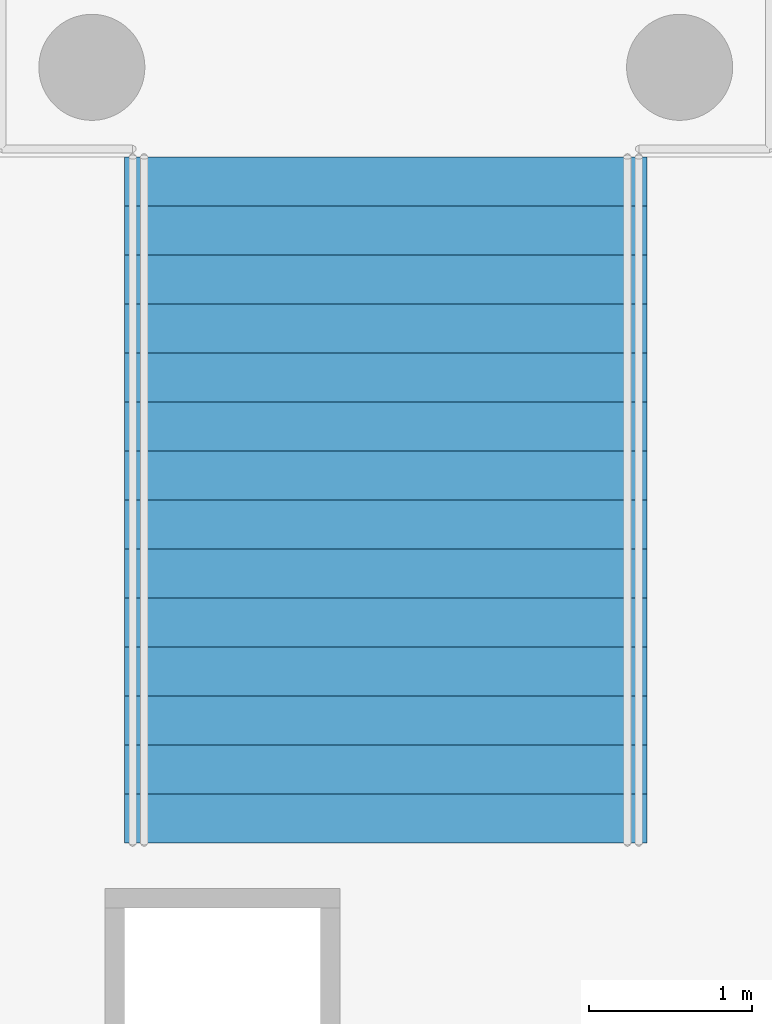
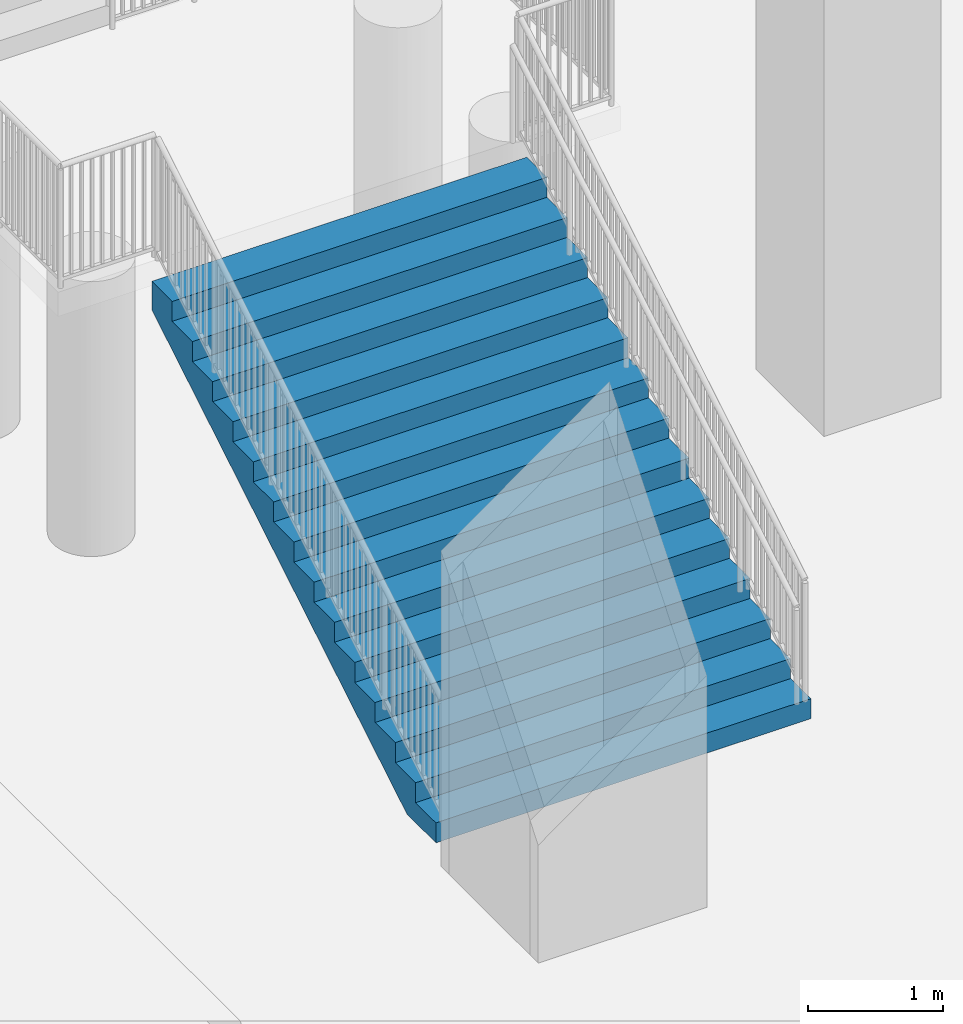
# One storey, part 86 of 95: 1 stair flight, 1 element without a shape of its own.
"""IFC4 building model written with IfcOpenShell, lengths in metres."""

from ifc_helpers import new_model, si_unit, direction, frame, origin, place, context, subcontext, project, spatial, polygons, material, type_object, element, aggregate, save


model = new_model("IFC4")

# Units and contexts
model_context = context("Model", 3, precision=1e-05, world=origin(), true_north=direction((0.0, 1.0)))
body_context = subcontext(model_context, "Body", "Model", "MODEL_VIEW")
ifc_project = project(units=[si_unit("LENGTHUNIT", "METRE"), si_unit("AREAUNIT", "SQUARE_METRE"), si_unit("VOLUMEUNIT", "CUBIC_METRE"), si_unit("PLANEANGLEUNIT", "RADIAN"), si_unit("MASSUNIT", "GRAM", prefix="KILO")], contexts=[model_context])

# Site, building, storey
site_placement = place(None, origin())
site = spatial("IfcSite", under=ifc_project, at=site_placement, CompositionType="ELEMENT")
building_placement = place(site_placement, origin())
building = spatial("IfcBuilding", under=site, at=building_placement, Name="Zantavel Square City Hall", CompositionType="ELEMENT")
storey_placement = place(building_placement, origin())
storey = spatial("IfcBuildingStorey", under=building, at=storey_placement, Name="L01", CompositionType="ELEMENT", Elevation=0.0)

# Stair, stair flight
ifc_material_1 = material(Name="White cantera volcanic tuff stone", Category="masonry")
stair_type = type_object("IfcStairType", Name="Grand Ceremonial Imperial Stair L01-L02", PredefinedType="DOUBLE_RETURN_STAIR", material=ifc_material_1)
stair_placement = place(storey_placement, origin())
stair = element("IfcStair", 1, at=stair_placement, inside=storey, type_object=stair_type, Name="Honor Vestibule Grand Imperial Stair", PredefinedType="DOUBLE_RETURN_STAIR")
ifc_material_2 = material(Name="Precast concrete C40/50", Category="concrete")
stair_flight_type = type_object("IfcStairFlightType", Name="Imperial Stair Lower Central Flight W3200", PredefinedType="STRAIGHT", material=ifc_material_2)
stair_flight_placement = place(storey_placement, frame((84.0, 34.39990234375, 0.0), z_axis=(0.0, 0.0, 1.0), x_axis=(0.0, 1.0, 0.0)))
stair_flight = element("IfcStairFlight", 2, at=stair_flight_placement, type_object=stair_flight_type, Name="ST-IMP flight 1", NumberOfRisers=15, NumberOfTreads=14, PredefinedType="STRAIGHT", RiserHeight=0.18, TreadLength=0.3, context=body_context, shape_type="Tessellation", body=[
    polygons([(0.427490234375, -1.60009765625, 0.0), (4.199951171875, -1.60009765625, 2.263427734375), (4.199951171875, -1.60009765625, 2.52001953125), (3.89990234375, -1.60009765625, 2.52001953125), (3.89990234375, -1.60009765625, 2.340087890625), (3.60009765625, -1.60009765625, 2.340087890625), (3.60009765625, -1.60009765625, 2.159912109375), (3.300048828125, -1.60009765625, 2.159912109375), (3.300048828125, -1.60009765625, 1.97998046875), (3.0, -1.60009765625, 1.97998046875), (3.0, -1.60009765625, 1.800048828125), (2.699951171875, -1.60009765625, 1.800048828125), (2.699951171875, -1.60009765625, 1.6201171875), (2.39990234375, -1.60009765625, 1.6201171875), (2.39990234375, -1.60009765625, 1.43994140625), (2.10009765625, -1.60009765625, 1.43994140625), (2.10009765625, -1.60009765625, 1.260009765625), (1.800048828125, -1.60009765625, 1.260009765625), (1.800048828125, -1.60009765625, 1.080078125), (1.5, -1.60009765625, 1.080078125), (1.5, -1.60009765625, 0.89990234375), (1.199951171875, -1.60009765625, 0.89990234375), (1.199951171875, -1.60009765625, 0.719970703125), (0.89990234375, -1.60009765625, 0.719970703125), (0.89990234375, -1.60009765625, 0.5400390625), (0.60009765625, -1.60009765625, 0.5400390625), (0.60009765625, -1.60009765625, 0.360107421875), (0.300048828125, -1.60009765625, 0.360107421875), (0.300048828125, -1.60009765625, 0.179931640625), (0.0, -1.60009765625, 0.179931640625), (0.0, -1.60009765625, 0.0), (0.427490234375, -1.199951171875, 0.0), (4.199951171875, -1.199951171875, 2.263427734375), (4.199951171875, -1.199951171875, 2.52001953125), (3.89990234375, -1.199951171875, 2.52001953125), (3.89990234375, -1.199951171875, 2.340087890625), (3.60009765625, -1.199951171875, 2.340087890625), (3.60009765625, -1.199951171875, 2.159912109375), (3.300048828125, -1.199951171875, 2.159912109375), (3.300048828125, -1.199951171875, 1.97998046875), (3.0, -1.199951171875, 1.97998046875), (3.0, -1.199951171875, 1.800048828125), (2.699951171875, -1.199951171875, 1.800048828125), (2.699951171875, -1.199951171875, 1.6201171875), (2.39990234375, -1.199951171875, 1.6201171875), (2.39990234375, -1.199951171875, 1.43994140625), (2.10009765625, -1.199951171875, 1.43994140625), (2.10009765625, -1.199951171875, 1.260009765625), (1.800048828125, -1.199951171875, 1.260009765625), (1.800048828125, -1.199951171875, 1.080078125), (1.5, -1.199951171875, 1.080078125), (1.5, -1.199951171875, 0.89990234375), (1.199951171875, -1.199951171875, 0.89990234375), (1.199951171875, -1.199951171875, 0.719970703125), (0.89990234375, -1.199951171875, 0.719970703125), (0.89990234375, -1.199951171875, 0.5400390625), (0.60009765625, -1.199951171875, 0.5400390625), (0.60009765625, -1.199951171875, 0.360107421875), (0.300048828125, -1.199951171875, 0.360107421875), (0.300048828125, -1.199951171875, 0.179931640625), (0.0, -1.199951171875, 0.179931640625), (0.0, -1.199951171875, 0.0), (0.427490234375, -0.800048828125, 0.0), (4.199951171875, -0.800048828125, 2.263427734375), (4.199951171875, -0.800048828125, 2.52001953125), (3.89990234375, -0.800048828125, 2.52001953125), (3.89990234375, -0.800048828125, 2.340087890625), (3.60009765625, -0.800048828125, 2.340087890625), (3.60009765625, -0.800048828125, 2.159912109375), (3.300048828125, -0.800048828125, 2.159912109375), (3.300048828125, -0.800048828125, 1.97998046875), (3.0, -0.800048828125, 1.97998046875), (3.0, -0.800048828125, 1.800048828125), (2.699951171875, -0.800048828125, 1.800048828125), (2.699951171875, -0.800048828125, 1.6201171875), (2.39990234375, -0.800048828125, 1.6201171875), (2.39990234375, -0.800048828125, 1.43994140625), (2.10009765625, -0.800048828125, 1.43994140625), (2.10009765625, -0.800048828125, 1.260009765625), (1.800048828125, -0.800048828125, 1.260009765625), (1.800048828125, -0.800048828125, 1.080078125), (1.5, -0.800048828125, 1.080078125), (1.5, -0.800048828125, 0.89990234375), (1.199951171875, -0.800048828125, 0.89990234375), (1.199951171875, -0.800048828125, 0.719970703125), (0.89990234375, -0.800048828125, 0.719970703125), (0.89990234375, -0.800048828125, 0.5400390625), (0.60009765625, -0.800048828125, 0.5400390625), (0.60009765625, -0.800048828125, 0.360107421875), (0.300048828125, -0.800048828125, 0.360107421875), (0.300048828125, -0.800048828125, 0.179931640625), (0.0, -0.800048828125, 0.179931640625), (0.0, -0.800048828125, 0.0), (0.427490234375, -0.39990234375, 0.0), (4.199951171875, -0.39990234375, 2.263427734375), (4.199951171875, -0.39990234375, 2.52001953125), (3.89990234375, -0.39990234375, 2.52001953125), (3.89990234375, -0.39990234375, 2.340087890625), (3.60009765625, -0.39990234375, 2.340087890625), (3.60009765625, -0.39990234375, 2.159912109375), (3.300048828125, -0.39990234375, 2.159912109375), (3.300048828125, -0.39990234375, 1.97998046875), (3.0, -0.39990234375, 1.97998046875), (3.0, -0.39990234375, 1.800048828125), (2.699951171875, -0.39990234375, 1.800048828125), (2.699951171875, -0.39990234375, 1.6201171875), (2.39990234375, -0.39990234375, 1.6201171875), (2.39990234375, -0.39990234375, 1.43994140625), (2.10009765625, -0.39990234375, 1.43994140625), (2.10009765625, -0.39990234375, 1.260009765625), (1.800048828125, -0.39990234375, 1.260009765625), (1.800048828125, -0.39990234375, 1.080078125), (1.5, -0.39990234375, 1.080078125), (1.5, -0.39990234375, 0.89990234375), (1.199951171875, -0.39990234375, 0.89990234375), (1.199951171875, -0.39990234375, 0.719970703125), (0.89990234375, -0.39990234375, 0.719970703125), (0.89990234375, -0.39990234375, 0.5400390625), (0.60009765625, -0.39990234375, 0.5400390625), (0.60009765625, -0.39990234375, 0.360107421875), (0.300048828125, -0.39990234375, 0.360107421875), (0.300048828125, -0.39990234375, 0.179931640625), (0.0, -0.39990234375, 0.179931640625), (0.0, -0.39990234375, 0.0), (0.427490234375, 0.0, 0.0), (4.199951171875, 0.0, 2.263427734375), (4.199951171875, 0.0, 2.52001953125), (3.89990234375, 0.0, 2.52001953125), (3.89990234375, 0.0, 2.340087890625), (3.60009765625, 0.0, 2.340087890625), (3.60009765625, 0.0, 2.159912109375), (3.300048828125, 0.0, 2.159912109375), (3.300048828125, 0.0, 1.97998046875), (3.0, 0.0, 1.97998046875), (3.0, 0.0, 1.800048828125), (2.699951171875, 0.0, 1.800048828125), (2.699951171875, 0.0, 1.6201171875), (2.39990234375, 0.0, 1.6201171875), (2.39990234375, 0.0, 1.43994140625), (2.10009765625, 0.0, 1.43994140625), (2.10009765625, 0.0, 1.260009765625), (1.800048828125, 0.0, 1.260009765625), (1.800048828125, 0.0, 1.080078125), (1.5, 0.0, 1.080078125), (1.5, 0.0, 0.89990234375), (1.199951171875, 0.0, 0.89990234375), (1.199951171875, 0.0, 0.719970703125), (0.89990234375, 0.0, 0.719970703125), (0.89990234375, 0.0, 0.5400390625), (0.60009765625, 0.0, 0.5400390625), (0.60009765625, 0.0, 0.360107421875), (0.300048828125, 0.0, 0.360107421875), (0.300048828125, 0.0, 0.179931640625), (0.0, 0.0, 0.179931640625), (0.0, 0.0, 0.0), (0.427490234375, 0.39990234375, 0.0), (4.199951171875, 0.39990234375, 2.263427734375), (4.199951171875, 0.39990234375, 2.52001953125), (3.89990234375, 0.39990234375, 2.52001953125), (3.89990234375, 0.39990234375, 2.340087890625), (3.60009765625, 0.39990234375, 2.340087890625), (3.60009765625, 0.39990234375, 2.159912109375), (3.300048828125, 0.39990234375, 2.159912109375), (3.300048828125, 0.39990234375, 1.97998046875), (3.0, 0.39990234375, 1.97998046875), (3.0, 0.39990234375, 1.800048828125), (2.699951171875, 0.39990234375, 1.800048828125), (2.699951171875, 0.39990234375, 1.6201171875), (2.39990234375, 0.39990234375, 1.6201171875), (2.39990234375, 0.39990234375, 1.43994140625), (2.10009765625, 0.39990234375, 1.43994140625), (2.10009765625, 0.39990234375, 1.260009765625), (1.800048828125, 0.39990234375, 1.260009765625), (1.800048828125, 0.39990234375, 1.080078125), (1.5, 0.39990234375, 1.080078125), (1.5, 0.39990234375, 0.89990234375), (1.199951171875, 0.39990234375, 0.89990234375), (1.199951171875, 0.39990234375, 0.719970703125), (0.89990234375, 0.39990234375, 0.719970703125), (0.89990234375, 0.39990234375, 0.5400390625), (0.60009765625, 0.39990234375, 0.5400390625), (0.60009765625, 0.39990234375, 0.360107421875), (0.300048828125, 0.39990234375, 0.360107421875), (0.300048828125, 0.39990234375, 0.179931640625), (0.0, 0.39990234375, 0.179931640625), (0.0, 0.39990234375, 0.0), (0.427490234375, 0.800048828125, 0.0), (4.199951171875, 0.800048828125, 2.263427734375), (4.199951171875, 0.800048828125, 2.52001953125), (3.89990234375, 0.800048828125, 2.52001953125), (3.89990234375, 0.800048828125, 2.340087890625), (3.60009765625, 0.800048828125, 2.340087890625), (3.60009765625, 0.800048828125, 2.159912109375), (3.300048828125, 0.800048828125, 2.159912109375), (3.300048828125, 0.800048828125, 1.97998046875), (3.0, 0.800048828125, 1.97998046875), (3.0, 0.800048828125, 1.800048828125), (2.699951171875, 0.800048828125, 1.800048828125), (2.699951171875, 0.800048828125, 1.6201171875), (2.39990234375, 0.800048828125, 1.6201171875), (2.39990234375, 0.800048828125, 1.43994140625), (2.10009765625, 0.800048828125, 1.43994140625), (2.10009765625, 0.800048828125, 1.260009765625), (1.800048828125, 0.800048828125, 1.260009765625), (1.800048828125, 0.800048828125, 1.080078125), (1.5, 0.800048828125, 1.080078125), (1.5, 0.800048828125, 0.89990234375), (1.199951171875, 0.800048828125, 0.89990234375), (1.199951171875, 0.800048828125, 0.719970703125), (0.89990234375, 0.800048828125, 0.719970703125), (0.89990234375, 0.800048828125, 0.5400390625), (0.60009765625, 0.800048828125, 0.5400390625), (0.60009765625, 0.800048828125, 0.360107421875), (0.300048828125, 0.800048828125, 0.360107421875), (0.300048828125, 0.800048828125, 0.179931640625), (0.0, 0.800048828125, 0.179931640625), (0.0, 0.800048828125, 0.0), (0.427490234375, 1.199951171875, 0.0), (4.199951171875, 1.199951171875, 2.263427734375), (4.199951171875, 1.199951171875, 2.52001953125), (3.89990234375, 1.199951171875, 2.52001953125), (3.89990234375, 1.199951171875, 2.340087890625), (3.60009765625, 1.199951171875, 2.340087890625), (3.60009765625, 1.199951171875, 2.159912109375), (3.300048828125, 1.199951171875, 2.159912109375), (3.300048828125, 1.199951171875, 1.97998046875), (3.0, 1.199951171875, 1.97998046875), (3.0, 1.199951171875, 1.800048828125), (2.699951171875, 1.199951171875, 1.800048828125), (2.699951171875, 1.199951171875, 1.6201171875), (2.39990234375, 1.199951171875, 1.6201171875), (2.39990234375, 1.199951171875, 1.43994140625), (2.10009765625, 1.199951171875, 1.43994140625), (2.10009765625, 1.199951171875, 1.260009765625), (1.800048828125, 1.199951171875, 1.260009765625), (1.800048828125, 1.199951171875, 1.080078125), (1.5, 1.199951171875, 1.080078125), (1.5, 1.199951171875, 0.89990234375), (1.199951171875, 1.199951171875, 0.89990234375), (1.199951171875, 1.199951171875, 0.719970703125), (0.89990234375, 1.199951171875, 0.719970703125), (0.89990234375, 1.199951171875, 0.5400390625), (0.60009765625, 1.199951171875, 0.5400390625), (0.60009765625, 1.199951171875, 0.360107421875), (0.300048828125, 1.199951171875, 0.360107421875), (0.300048828125, 1.199951171875, 0.179931640625), (0.0, 1.199951171875, 0.179931640625), (0.0, 1.199951171875, 0.0), (0.427490234375, 1.60009765625, 0.0), (4.199951171875, 1.60009765625, 2.263427734375), (4.199951171875, 1.60009765625, 2.52001953125), (3.89990234375, 1.60009765625, 2.52001953125), (3.89990234375, 1.60009765625, 2.340087890625), (3.60009765625, 1.60009765625, 2.340087890625), (3.60009765625, 1.60009765625, 2.159912109375), (3.300048828125, 1.60009765625, 2.159912109375), (3.300048828125, 1.60009765625, 1.97998046875), (3.0, 1.60009765625, 1.97998046875), (3.0, 1.60009765625, 1.800048828125), (2.699951171875, 1.60009765625, 1.800048828125), (2.699951171875, 1.60009765625, 1.6201171875), (2.39990234375, 1.60009765625, 1.6201171875), (2.39990234375, 1.60009765625, 1.43994140625), (2.10009765625, 1.60009765625, 1.43994140625), (2.10009765625, 1.60009765625, 1.260009765625), (1.800048828125, 1.60009765625, 1.260009765625), (1.800048828125, 1.60009765625, 1.080078125), (1.5, 1.60009765625, 1.080078125), (1.5, 1.60009765625, 0.89990234375), (1.199951171875, 1.60009765625, 0.89990234375), (1.199951171875, 1.60009765625, 0.719970703125), (0.89990234375, 1.60009765625, 0.719970703125), (0.89990234375, 1.60009765625, 0.5400390625), (0.60009765625, 1.60009765625, 0.5400390625), (0.60009765625, 1.60009765625, 0.360107421875), (0.300048828125, 1.60009765625, 0.360107421875), (0.300048828125, 1.60009765625, 0.179931640625), (0.0, 1.60009765625, 0.179931640625), (0.0, 1.60009765625, 0.0)], [[[1, 2, 3, 4, 5, 6, 7, 8, 9, 10, 11, 12, 13, 14, 15, 16, 17, 18, 19, 20, 21, 22, 23, 24, 25, 26, 27, 28, 29, 30, 31]], [[279, 278, 277, 276, 275, 274, 273, 272, 271, 270, 269, 268, 267, 266, 265, 264, 263, 262, 261, 260, 259, 258, 257, 256, 255, 254, 253, 252, 251, 250, 249]], [[1, 32, 33]], [[1, 33, 2]], [[2, 33, 34]], [[2, 34, 3]], [[3, 34, 35]], [[3, 35, 4]], [[4, 35, 36]], [[4, 36, 5]], [[5, 36, 37]], [[5, 37, 6]], [[6, 37, 38]], [[6, 38, 7]], [[7, 38, 39]], [[7, 39, 8]], [[8, 39, 40]], [[8, 40, 9]], [[9, 40, 41]], [[9, 41, 10]], [[10, 41, 42]], [[10, 42, 11]], [[11, 42, 43]], [[11, 43, 12]], [[12, 43, 44]], [[12, 44, 13]], [[13, 44, 45]], [[13, 45, 14]], [[14, 45, 46]], [[14, 46, 15]], [[15, 46, 47]], [[15, 47, 16]], [[16, 47, 48]], [[16, 48, 17]], [[17, 48, 49]], [[17, 49, 18]], [[18, 49, 50]], [[18, 50, 19]], [[19, 50, 51]], [[19, 51, 20]], [[20, 51, 52]], [[20, 52, 21]], [[21, 52, 53]], [[21, 53, 22]], [[22, 53, 54]], [[22, 54, 23]], [[23, 54, 55]], [[23, 55, 24]], [[24, 55, 56]], [[24, 56, 25]], [[25, 56, 57]], [[25, 57, 26]], [[26, 57, 58]], [[26, 58, 27]], [[27, 58, 59]], [[27, 59, 28]], [[28, 59, 60]], [[28, 60, 29]], [[29, 60, 61]], [[29, 61, 30]], [[30, 61, 62]], [[30, 62, 31]], [[31, 62, 32]], [[31, 32, 1]], [[32, 63, 64]], [[32, 64, 33]], [[33, 64, 65]], [[33, 65, 34]], [[34, 65, 66]], [[34, 66, 35]], [[35, 66, 67]], [[35, 67, 36]], [[36, 67, 68]], [[36, 68, 37]], [[37, 68, 69]], [[37, 69, 38]], [[38, 69, 70]], [[38, 70, 39]], [[39, 70, 71]], [[39, 71, 40]], [[40, 71, 72]], [[40, 72, 41]], [[41, 72, 73]], [[41, 73, 42]], [[42, 73, 74]], [[42, 74, 43]], [[43, 74, 75]], [[43, 75, 44]], [[44, 75, 76]], [[44, 76, 45]], [[45, 76, 77]], [[45, 77, 46]], [[46, 77, 78]], [[46, 78, 47]], [[47, 78, 79]], [[47, 79, 48]], [[48, 79, 80]], [[48, 80, 49]], [[49, 80, 81]], [[49, 81, 50]], [[50, 81, 82]], [[50, 82, 51]], [[51, 82, 83]], [[51, 83, 52]], [[52, 83, 84]], [[52, 84, 53]], [[53, 84, 85]], [[53, 85, 54]], [[54, 85, 86]], [[54, 86, 55]], [[55, 86, 87]], [[55, 87, 56]], [[56, 87, 88]], [[56, 88, 57]], [[57, 88, 89]], [[57, 89, 58]], [[58, 89, 90]], [[58, 90, 59]], [[59, 90, 91]], [[59, 91, 60]], [[60, 91, 92]], [[60, 92, 61]], [[61, 92, 93]], [[61, 93, 62]], [[62, 93, 63]], [[62, 63, 32]], [[63, 94, 95]], [[63, 95, 64]], [[64, 95, 96]], [[64, 96, 65]], [[65, 96, 97]], [[65, 97, 66]], [[66, 97, 98]], [[66, 98, 67]], [[67, 98, 99]], [[67, 99, 68]], [[68, 99, 100]], [[68, 100, 69]], [[69, 100, 101]], [[69, 101, 70]], [[70, 101, 102]], [[70, 102, 71]], [[71, 102, 103]], [[71, 103, 72]], [[72, 103, 104]], [[72, 104, 73]], [[73, 104, 105]], [[73, 105, 74]], [[74, 105, 106]], [[74, 106, 75]], [[75, 106, 107]], [[75, 107, 76]], [[76, 107, 108]], [[76, 108, 77]], [[77, 108, 109]], [[77, 109, 78]], [[78, 109, 110]], [[78, 110, 79]], [[79, 110, 111]], [[79, 111, 80]], [[80, 111, 112]], [[80, 112, 81]], [[81, 112, 113]], [[81, 113, 82]], [[82, 113, 114]], [[82, 114, 83]], [[83, 114, 115]], [[83, 115, 84]], [[84, 115, 116]], [[84, 116, 85]], [[85, 116, 117]], [[85, 117, 86]], [[86, 117, 118]], [[86, 118, 87]], [[87, 118, 119]], [[87, 119, 88]], [[88, 119, 120]], [[88, 120, 89]], [[89, 120, 121]], [[89, 121, 90]], [[90, 121, 122]], [[90, 122, 91]], [[91, 122, 123]], [[91, 123, 92]], [[92, 123, 124]], [[92, 124, 93]], [[93, 124, 94]], [[93, 94, 63]], [[94, 125, 126]], [[94, 126, 95]], [[95, 126, 127]], [[95, 127, 96]], [[96, 127, 128]], [[96, 128, 97]], [[97, 128, 129]], [[97, 129, 98]], [[98, 129, 130]], [[98, 130, 99]], [[99, 130, 131]], [[99, 131, 100]], [[100, 131, 132]], [[100, 132, 101]], [[101, 132, 133]], [[101, 133, 102]], [[102, 133, 134]], [[102, 134, 103]], [[103, 134, 135]], [[103, 135, 104]], [[104, 135, 136]], [[104, 136, 105]], [[105, 136, 137]], [[105, 137, 106]], [[106, 137, 138]], [[106, 138, 107]], [[107, 138, 139]], [[107, 139, 108]], [[108, 139, 140]], [[108, 140, 109]], [[109, 140, 141]], [[109, 141, 110]], [[110, 141, 142]], [[110, 142, 111]], [[111, 142, 143]], [[111, 143, 112]], [[112, 143, 144]], [[112, 144, 113]], [[113, 144, 145]], [[113, 145, 114]], [[114, 145, 146]], [[114, 146, 115]], [[115, 146, 147]], [[115, 147, 116]], [[116, 147, 148]], [[116, 148, 117]], [[117, 148, 149]], [[117, 149, 118]], [[118, 149, 150]], [[118, 150, 119]], [[119, 150, 151]], [[119, 151, 120]], [[120, 151, 152]], [[120, 152, 121]], [[121, 152, 153]], [[121, 153, 122]], [[122, 153, 154]], [[122, 154, 123]], [[123, 154, 155]], [[123, 155, 124]], [[124, 155, 125]], [[124, 125, 94]], [[125, 156, 126]], [[156, 157, 126]], [[126, 157, 127]], [[157, 158, 127]], [[127, 158, 128]], [[158, 159, 128]], [[128, 159, 129]], [[159, 160, 129]], [[129, 160, 130]], [[160, 161, 130]], [[130, 161, 131]], [[161, 162, 131]], [[131, 162, 132]], [[162, 163, 132]], [[132, 163, 133]], [[163, 164, 133]], [[133, 164, 134]], [[164, 165, 134]], [[134, 165, 135]], [[165, 166, 135]], [[135, 166, 136]], [[166, 167, 136]], [[136, 167, 137]], [[167, 168, 137]], [[137, 168, 138]], [[168, 169, 138]], [[138, 169, 139]], [[169, 170, 139]], [[139, 170, 140]], [[170, 171, 140]], [[140, 171, 141]], [[171, 172, 141]], [[141, 172, 142]], [[172, 173, 142]], [[142, 173, 143]], [[173, 174, 143]], [[143, 174, 144]], [[174, 175, 144]], [[144, 175, 145]], [[175, 176, 145]], [[145, 176, 146]], [[176, 177, 146]], [[146, 177, 147]], [[177, 178, 147]], [[147, 178, 148]], [[178, 179, 148]], [[148, 179, 149]], [[179, 180, 149]], [[149, 180, 150]], [[180, 181, 150]], [[150, 181, 151]], [[181, 182, 151]], [[151, 182, 152]], [[182, 183, 152]], [[152, 183, 153]], [[183, 184, 153]], [[153, 184, 154]], [[184, 185, 154]], [[154, 185, 155]], [[185, 186, 155]], [[155, 186, 125]], [[186, 156, 125]], [[156, 187, 157]], [[187, 188, 157]], [[157, 188, 158]], [[188, 189, 158]], [[158, 189, 159]], [[189, 190, 159]], [[159, 190, 160]], [[190, 191, 160]], [[160, 191, 161]], [[191, 192, 161]], [[161, 192, 162]], [[192, 193, 162]], [[162, 193, 163]], [[193, 194, 163]], [[163, 194, 164]], [[194, 195, 164]], [[164, 195, 165]], [[195, 196, 165]], [[165, 196, 166]], [[196, 197, 166]], [[166, 197, 167]], [[197, 198, 167]], [[167, 198, 168]], [[198, 199, 168]], [[168, 199, 169]], [[199, 200, 169]], [[169, 200, 170]], [[200, 201, 170]], [[170, 201, 171]], [[201, 202, 171]], [[171, 202, 172]], [[202, 203, 172]], [[172, 203, 173]], [[203, 204, 173]], [[173, 204, 174]], [[204, 205, 174]], [[174, 205, 175]], [[205, 206, 175]], [[175, 206, 176]], [[206, 207, 176]], [[176, 207, 177]], [[207, 208, 177]], [[177, 208, 178]], [[208, 209, 178]], [[178, 209, 179]], [[209, 210, 179]], [[179, 210, 180]], [[210, 211, 180]], [[180, 211, 181]], [[211, 212, 181]], [[181, 212, 182]], [[212, 213, 182]], [[182, 213, 183]], [[213, 214, 183]], [[183, 214, 184]], [[214, 215, 184]], [[184, 215, 185]], [[215, 216, 185]], [[185, 216, 186]], [[216, 217, 186]], [[186, 217, 156]], [[217, 187, 156]], [[187, 218, 188]], [[218, 219, 188]], [[188, 219, 189]], [[219, 220, 189]], [[189, 220, 190]], [[220, 221, 190]], [[190, 221, 191]], [[221, 222, 191]], [[191, 222, 192]], [[222, 223, 192]], [[192, 223, 193]], [[223, 224, 193]], [[193, 224, 194]], [[224, 225, 194]], [[194, 225, 195]], [[225, 226, 195]], [[195, 226, 196]], [[226, 227, 196]], [[196, 227, 197]], [[227, 228, 197]], [[197, 228, 198]], [[228, 229, 198]], [[198, 229, 199]], [[229, 230, 199]], [[199, 230, 200]], [[230, 231, 200]], [[200, 231, 201]], [[231, 232, 201]], [[201, 232, 202]], [[232, 233, 202]], [[202, 233, 203]], [[233, 234, 203]], [[203, 234, 204]], [[234, 235, 204]], [[204, 235, 205]], [[235, 236, 205]], [[205, 236, 206]], [[236, 237, 206]], [[206, 237, 207]], [[237, 238, 207]], [[207, 238, 208]], [[238, 239, 208]], [[208, 239, 209]], [[239, 240, 209]], [[209, 240, 210]], [[240, 241, 210]], [[210, 241, 211]], [[241, 242, 211]], [[211, 242, 212]], [[242, 243, 212]], [[212, 243, 213]], [[243, 244, 213]], [[213, 244, 214]], [[244, 245, 214]], [[214, 245, 215]], [[245, 246, 215]], [[215, 246, 216]], [[246, 247, 216]], [[216, 247, 217]], [[247, 248, 217]], [[217, 248, 187]], [[248, 218, 187]], [[218, 249, 219]], [[249, 250, 219]], [[219, 250, 220]], [[250, 251, 220]], [[220, 251, 221]], [[251, 252, 221]], [[221, 252, 222]], [[252, 253, 222]], [[222, 253, 223]], [[253, 254, 223]], [[223, 254, 224]], [[254, 255, 224]], [[224, 255, 225]], [[255, 256, 225]], [[225, 256, 226]], [[256, 257, 226]], [[226, 257, 227]], [[257, 258, 227]], [[227, 258, 228]], [[258, 259, 228]], [[228, 259, 229]], [[259, 260, 229]], [[229, 260, 230]], [[260, 261, 230]], [[230, 261, 231]], [[261, 262, 231]], [[231, 262, 232]], [[262, 263, 232]], [[232, 263, 233]], [[263, 264, 233]], [[233, 264, 234]], [[264, 265, 234]], [[234, 265, 235]], [[265, 266, 235]], [[235, 266, 236]], [[266, 267, 236]], [[236, 267, 237]], [[267, 268, 237]], [[237, 268, 238]], [[268, 269, 238]], [[238, 269, 239]], [[269, 270, 239]], [[239, 270, 240]], [[270, 271, 240]], [[240, 271, 241]], [[271, 272, 241]], [[241, 272, 242]], [[272, 273, 242]], [[242, 273, 243]], [[273, 274, 243]], [[243, 274, 244]], [[274, 275, 244]], [[244, 275, 245]], [[275, 276, 245]], [[245, 276, 246]], [[276, 277, 246]], [[246, 277, 247]], [[277, 278, 247]], [[247, 278, 248]], [[278, 279, 248]], [[248, 279, 218]], [[279, 249, 218]]], closed=True),
])
aggregate(stair, [stair_flight])

save(model, "model.ifc")
